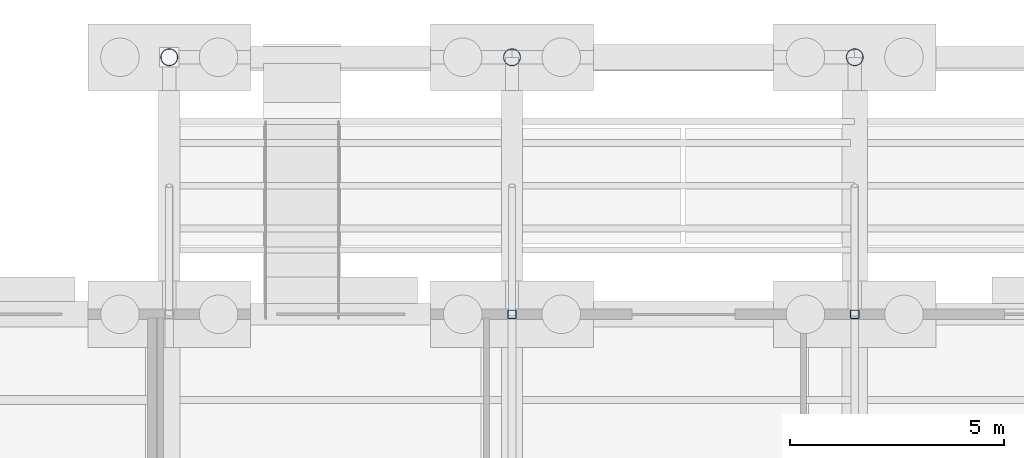
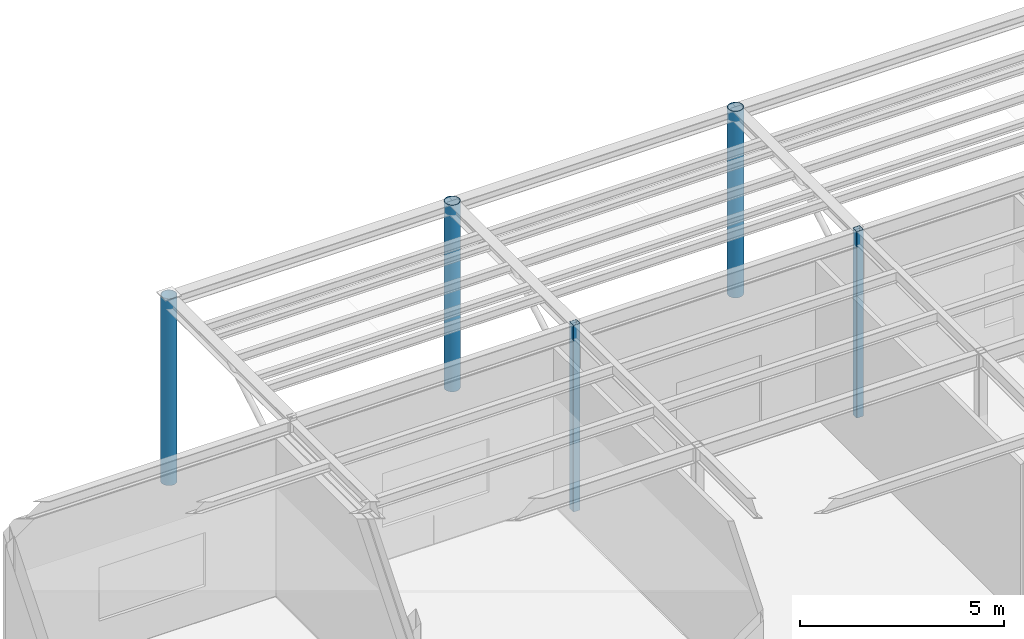
# One storey, part 21 of 129: 5 columns.
"""IFC4 building model written with IfcOpenShell, lengths in metres."""

from ifc_helpers import new_model, si_unit, direction, frame, origin, origin_2d, place, context, subcontext, project, spatial, hollow_rectangle, hollow_circle, extrude, material, material_profile, profile_set, type_object, element, save


model = new_model("IFC4")

# Units and contexts
model_context = context("Model", 3, precision=1e-05, world=origin(), true_north=direction((0.0, 1.0)))
body_context = subcontext(model_context, "Body", "Model", "MODEL_VIEW")
ifc_project = project(units=[si_unit("LENGTHUNIT", "METRE"), si_unit("AREAUNIT", "SQUARE_METRE"), si_unit("VOLUMEUNIT", "CUBIC_METRE"), si_unit("PLANEANGLEUNIT", "RADIAN"), si_unit("MASSUNIT", "GRAM", prefix="KILO")], contexts=[model_context])

# Site, building, storey
site_placement = place(None, origin())
site = spatial("IfcSite", under=ifc_project, at=site_placement, CompositionType="ELEMENT")
building_placement = place(site_placement, origin())
building = spatial("IfcBuilding", under=site, at=building_placement, Name="Sitalva Quay Ferry Terminal", CompositionType="ELEMENT")
storey_placement = place(building_placement, origin())
storey = spatial("IfcBuildingStorey", under=building, at=storey_placement, Name="L01", CompositionType="ELEMENT", Elevation=0.0)

# Columns
ifc_material_1 = material(Name="Structural Steel S355JR", Category="steel")
ifc_material_profile_1 = material_profile(ifc_material_1, hollow_circle(Radius=0.203125, WallThickness=0.01611328125, at=origin_2d()), Name="CHS406x16")
ifc_profile_set_1 = profile_set([ifc_material_profile_1], Name="Structural Steel S355JR")
column_type_1 = type_object("IfcColumnType", Name="Col_CHS406x16", PredefinedType="COLUMN", material=ifc_profile_set_1)
for number, where, z_axis, x_axis, name in (
    (1, (16.0, 112.0, -0.449951171875), (0.0, 0.0, 1.0), (1.0, 0.0, 0.0), "L01 column 3N"),
    (2, (24.0, 112.0, -0.449951171875), (0.0, 0.0, 1.0), (1.0, 0.0, 0.0), "L01 column 4N"),
    (3, (32.0, 112.0, -0.449951171875), (0.0, 0.0, 1.0), (1.0, 0.0, 0.0), "L01 column 5N"),
):
    element("IfcColumn", number, at=place(storey_placement, frame(where, z_axis=z_axis, x_axis=x_axis)), inside=storey, type_object=column_type_1, Name=name, PredefinedType="COLUMN", context=body_context, shape_type="SweptSolid", body=[
        extrude(hollow_circle(Radius=0.203125, WallThickness=0.01611328125, at=origin_2d()), origin(), (0.0, 0.0, 1.0), 5.570068359375),
    ])
ifc_material_2 = material(Name="Structural Steel S355JR", Category="steel")
ifc_material_profile_2 = material_profile(ifc_material_2, hollow_rectangle(XDim=0.199951171875, YDim=0.199951171875, WallThickness=0.010009765625, InnerFilletRadius=0.010009765625, OuterFilletRadius=0.02001953125, at=origin_2d()), Name="SHS200x200x10")
ifc_profile_set_2 = profile_set([ifc_material_profile_2], Name="Structural Steel S355JR")
column_type_2 = type_object("IfcColumnType", Name="Col_SHS200x10", PredefinedType="COLUMN", material=ifc_profile_set_2)
for number, where, z_axis, x_axis, name in (
    (4, (24.0, 106.0, -0.449951171875), (0.0, 0.0, 1.0), (1.0, 0.0, 0.0), "L01 column 4M"),
    (5, (32.0, 106.0, -0.449951171875), (0.0, 0.0, 1.0), (1.0, 0.0, 0.0), "L01 column 5M"),
):
    element("IfcColumn", number, at=place(storey_placement, frame(where, z_axis=z_axis, x_axis=x_axis)), inside=storey, type_object=column_type_2, Name=name, PredefinedType="COLUMN", context=body_context, shape_type="SweptSolid", body=[
        extrude(hollow_rectangle(XDim=0.199951171875, YDim=0.199951171875, WallThickness=0.010009765625, InnerFilletRadius=0.010009765625, OuterFilletRadius=0.02001953125, at=origin_2d()), origin(), (0.0, 0.0, 1.0), 5.570068359375),
    ])

save(model, "model.ifc")
